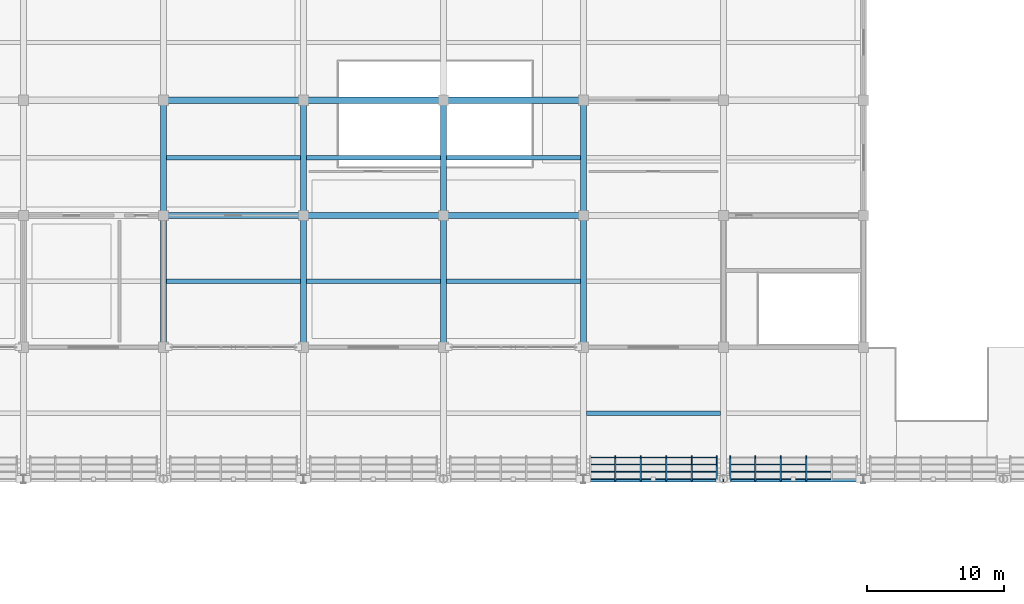
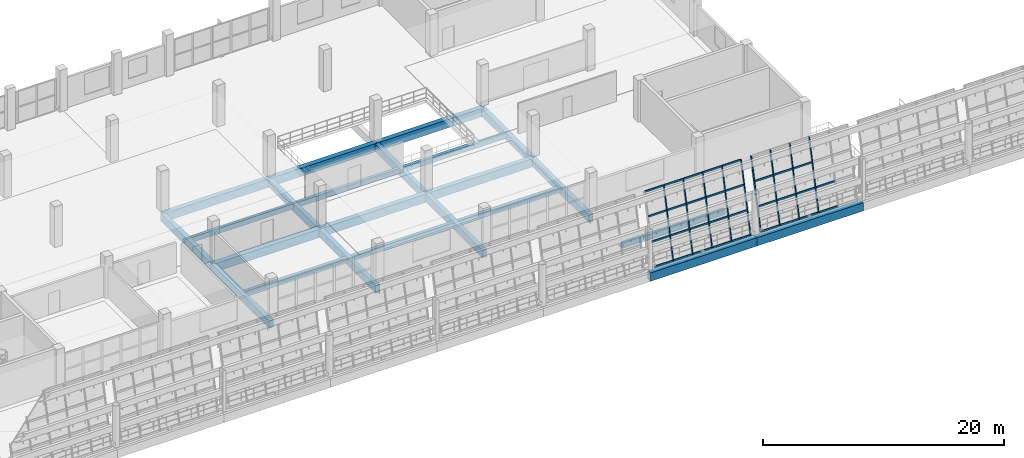
# One storey, part 45 of 157: 40 members, 23 beams, 2 elements without a shape of their own.
"""IFC4 building model written with IfcOpenShell, lengths in metres."""

from ifc_helpers import new_model, si_unit, direction, frame, origin, origin_2d, place, context, subcontext, project, spatial, rectangle, hollow_rectangle, extrude, material, material_profile, profile_set, type_object, element, aggregate, save


model = new_model("IFC4")

# Units and contexts
model_context = context("Model", 3, precision=1e-05, world=origin(), true_north=direction((0.0, 1.0)))
body_context = subcontext(model_context, "Body", "Model", "MODEL_VIEW")
ifc_project = project(units=[si_unit("LENGTHUNIT", "METRE"), si_unit("AREAUNIT", "SQUARE_METRE"), si_unit("VOLUMEUNIT", "CUBIC_METRE"), si_unit("PLANEANGLEUNIT", "RADIAN"), si_unit("MASSUNIT", "GRAM", prefix="KILO")], contexts=[model_context])

# Site, building, storey
site_placement = place(None, origin())
site = spatial("IfcSite", under=ifc_project, at=site_placement, CompositionType="ELEMENT")
building_placement = place(site_placement, origin())
building = spatial("IfcBuilding", under=site, at=building_placement, Name="Brelvane Convention Centre", CompositionType="ELEMENT")
storey_placement = place(building_placement, frame((0.0, 0.0, 10.800048828125)))
storey = spatial("IfcBuildingStorey", under=building, at=storey_placement, Name="L02", CompositionType="ELEMENT", Elevation=10.800048828125)

# Curtain wall, members
ifc_material_1 = material(Name="Anodised Aluminium Alloy 6063-T6", Category="aluminium")
curtain_wall_type = type_object("IfcCurtainWallType", Name="Curtain Wall CW-HULL-N", PredefinedType="USERDEFINED", material=ifc_material_1)
curtain_wall_1_placement = place(storey_placement, origin())
curtain_wall_1 = element("IfcCurtainWall", 1, at=curtain_wall_1_placement, inside=storey, type_object=curtain_wall_type, Name="Curtain Wall CW-HULL-N L02-V1N-HULL-10", ObjectType="UNITISED", PredefinedType="USERDEFINED")
ifc_material_2 = material(Name="Anodised Aluminium Alloy 6063-T6", Category="aluminium")
ifc_material_profile_1 = material_profile(ifc_material_2, hollow_rectangle(XDim=0.080078125, YDim=0.239990234375, WallThickness=0.006103515625, InnerFilletRadius=0.006103515625, OuterFilletRadius=0.011962890625, at=origin_2d()), Name="ALU-M 240x80x6.0")
ifc_profile_set_1 = profile_set([ifc_material_profile_1], Name="Anodised Aluminium Alloy 6063-T6")
member_type_1 = type_object("IfcMemberType", Name="Curtain Mullion CW-M1", PredefinedType="MULLION", material=ifc_profile_set_1)
member_1_placement = place(storey_placement, frame((94.110107421875, 99.60009765625, 0.0), z_axis=(0.0, 0.228324840492, 0.973585007698), x_axis=(-1.0, 0.0, 0.0)))
member_1 = element("IfcMember", 2, at=member_1_placement, type_object=member_type_1, Name="CW-HULL-N mullion 2", PredefinedType="MULLION", context=body_context, shape_type="SweptSolid", body=[
    extrude(hollow_rectangle(XDim=0.080078125, YDim=0.239990234375, WallThickness=0.006103515625, InnerFilletRadius=0.006103515625, OuterFilletRadius=0.011962890625, at=origin_2d()), origin(), (0.0, 0.0, 1.0), 6.93310546875),
])
member_2_placement = place(storey_placement, frame((95.969970703125, 99.60009765625, 0.0), z_axis=(0.0, 0.228324840492, 0.973585007698), x_axis=(-1.0, 0.0, 0.0)))
member_2 = element("IfcMember", 3, at=member_2_placement, type_object=member_type_1, Name="CW-HULL-N mullion 3", PredefinedType="MULLION", context=body_context, shape_type="SweptSolid", body=[
    extrude(hollow_rectangle(XDim=0.080078125, YDim=0.239990234375, WallThickness=0.006103515625, InnerFilletRadius=0.006103515625, OuterFilletRadius=0.011962890625, at=origin_2d()), origin(), (0.0, 0.0, 1.0), 6.93310546875),
])
member_3_placement = place(storey_placement, frame((97.830078125, 99.60009765625, 0.0), z_axis=(0.0, 0.228324840492, 0.973585007698), x_axis=(-1.0, 0.0, 0.0)))
member_3 = element("IfcMember", 4, at=member_3_placement, type_object=member_type_1, Name="CW-HULL-N mullion 4", PredefinedType="MULLION", context=body_context, shape_type="SweptSolid", body=[
    extrude(hollow_rectangle(XDim=0.080078125, YDim=0.239990234375, WallThickness=0.006103515625, InnerFilletRadius=0.006103515625, OuterFilletRadius=0.011962890625, at=origin_2d()), origin(), (0.0, 0.0, 1.0), 6.93310546875),
])
member_4_placement = place(storey_placement, frame((99.68994140625, 99.60009765625, 0.0), z_axis=(0.0, 0.228324840492, 0.973585007698), x_axis=(-1.0, 0.0, 0.0)))
member_4 = element("IfcMember", 5, at=member_4_placement, type_object=member_type_1, Name="CW-HULL-N mullion 5", PredefinedType="MULLION", context=body_context, shape_type="SweptSolid", body=[
    extrude(hollow_rectangle(XDim=0.080078125, YDim=0.239990234375, WallThickness=0.006103515625, InnerFilletRadius=0.006103515625, OuterFilletRadius=0.011962890625, at=origin_2d()), origin(), (0.0, 0.0, 1.0), 6.93310546875),
])
member_5_placement = place(storey_placement, frame((101.510009765625, 99.60009765625, 0.0), z_axis=(0.0, 0.228324840492, 0.973585007698), x_axis=(-1.0, 0.0, 0.0)))
member_5 = element("IfcMember", 6, at=member_5_placement, type_object=member_type_1, Name="CW-HULL-N mullion 6", PredefinedType="MULLION", context=body_context, shape_type="SweptSolid", body=[
    extrude(hollow_rectangle(XDim=0.080078125, YDim=0.239990234375, WallThickness=0.006103515625, InnerFilletRadius=0.006103515625, OuterFilletRadius=0.011962890625, at=origin_2d()), origin(), (0.0, 0.0, 1.0), 6.93310546875),
])

curtain_wall_2_placement = place(storey_placement, origin())
curtain_wall_2 = element("IfcCurtainWall", 7, at=curtain_wall_2_placement, inside=storey, type_object=curtain_wall_type, Name="Curtain Wall CW-HULL-N L02-V1N-HULL-11", ObjectType="UNITISED", PredefinedType="USERDEFINED")
member_6_placement = place(storey_placement, frame((102.489990234375, 99.60009765625, 0.0), z_axis=(0.0, 0.228324840492, 0.973585007698), x_axis=(-1.0, 0.0, 0.0)))
member_6 = element("IfcMember", 8, at=member_6_placement, type_object=member_type_1, Name="CW-HULL-N mullion 1", PredefinedType="MULLION", context=body_context, shape_type="SweptSolid", body=[
    extrude(hollow_rectangle(XDim=0.080078125, YDim=0.239990234375, WallThickness=0.006103515625, InnerFilletRadius=0.006103515625, OuterFilletRadius=0.011962890625, at=origin_2d()), origin(), (0.0, 0.0, 1.0), 6.93310546875),
])
member_7_placement = place(storey_placement, frame((104.31005859375, 99.60009765625, 0.0), z_axis=(0.0, 0.228324840492, 0.973585007698), x_axis=(-1.0, 0.0, 0.0)))
member_7 = element("IfcMember", 9, at=member_7_placement, type_object=member_type_1, Name="CW-HULL-N mullion 2", PredefinedType="MULLION", context=body_context, shape_type="SweptSolid", body=[
    extrude(hollow_rectangle(XDim=0.080078125, YDim=0.239990234375, WallThickness=0.006103515625, InnerFilletRadius=0.006103515625, OuterFilletRadius=0.011962890625, at=origin_2d()), origin(), (0.0, 0.0, 1.0), 6.93310546875),
])
member_8_placement = place(storey_placement, frame((106.169921875, 99.60009765625, 0.0), z_axis=(0.0, 0.228324840492, 0.973585007698), x_axis=(-1.0, 0.0, 0.0)))
member_8 = element("IfcMember", 10, at=member_8_placement, type_object=member_type_1, Name="CW-HULL-N mullion 3", PredefinedType="MULLION", context=body_context, shape_type="SweptSolid", body=[
    extrude(hollow_rectangle(XDim=0.080078125, YDim=0.239990234375, WallThickness=0.006103515625, InnerFilletRadius=0.006103515625, OuterFilletRadius=0.011962890625, at=origin_2d()), origin(), (0.0, 0.0, 1.0), 6.93310546875),
])
member_9_placement = place(storey_placement, frame((108.030029296875, 99.60009765625, 0.0), z_axis=(0.0, 0.228324840492, 0.973585007698), x_axis=(-1.0, 0.0, 0.0)))
member_9 = element("IfcMember", 11, at=member_9_placement, type_object=member_type_1, Name="CW-HULL-N mullion 4", PredefinedType="MULLION", context=body_context, shape_type="SweptSolid", body=[
    extrude(hollow_rectangle(XDim=0.080078125, YDim=0.239990234375, WallThickness=0.006103515625, InnerFilletRadius=0.006103515625, OuterFilletRadius=0.011962890625, at=origin_2d()), origin(), (0.0, 0.0, 1.0), 6.93310546875),
])

# Member
ifc_material_3 = material(Name="Anodised Aluminium Alloy 6063-T6", Category="aluminium")
ifc_material_profile_2 = material_profile(ifc_material_3, hollow_rectangle(XDim=0.080078125, YDim=0.179931640625, WallThickness=0.0048828125, InnerFilletRadius=0.0048828125, OuterFilletRadius=0.010009765625, at=origin_2d()), Name="ALU-T 180x80x5.0")
ifc_profile_set_2 = profile_set([ifc_material_profile_2], Name="Anodised Aluminium Alloy 6063-T6")
member_type_2 = type_object("IfcMemberType", Name="Curtain Transom CW-T1", PredefinedType="USERDEFINED", material=ifc_profile_set_2)
member_10_placement = place(storey_placement, frame((92.330078125, 99.609375, 0.0400390625), z_axis=(1.0, 0.0, 0.0), x_axis=(0.0, 1.0, 0.0)))
member_10 = element("IfcMember", 12, at=member_10_placement, type_object=member_type_2, Name="CW-HULL-N transom 1.1", ObjectType="TRANSOM", PredefinedType="USERDEFINED", context=body_context, shape_type="SweptSolid", body=[
    extrude(hollow_rectangle(XDim=0.080078125, YDim=0.179931640625, WallThickness=0.0048828125, InnerFilletRadius=0.0048828125, OuterFilletRadius=0.010009765625, at=origin_2d()), origin(), (0.0, 0.0, 1.0), 1.739990234375),
])

member_11_placement = place(storey_placement, frame((92.330078125, 100.127685546875, 2.25), z_axis=(1.0, 0.0, 0.0), x_axis=(0.0, 1.0, 0.0)))
member_11 = element("IfcMember", 13, at=member_11_placement, type_object=member_type_2, Name="CW-HULL-N transom 1.2", ObjectType="TRANSOM", PredefinedType="USERDEFINED", context=body_context, shape_type="SweptSolid", body=[
    extrude(hollow_rectangle(XDim=0.080078125, YDim=0.179931640625, WallThickness=0.0048828125, InnerFilletRadius=0.0048828125, OuterFilletRadius=0.010009765625, at=origin_2d()), origin(), (0.0, 0.0, 1.0), 1.739990234375),
])

member_12_placement = place(storey_placement, frame((92.330078125, 100.655517578125, 4.5), z_axis=(1.0, 0.0, 0.0), x_axis=(0.0, 1.0, 0.0)))
member_12 = element("IfcMember", 14, at=member_12_placement, type_object=member_type_2, Name="CW-HULL-N transom 1.3", ObjectType="TRANSOM", PredefinedType="USERDEFINED", context=body_context, shape_type="SweptSolid", body=[
    extrude(hollow_rectangle(XDim=0.080078125, YDim=0.179931640625, WallThickness=0.0048828125, InnerFilletRadius=0.0048828125, OuterFilletRadius=0.010009765625, at=origin_2d()), origin(), (0.0, 0.0, 1.0), 1.739990234375),
])

member_13_placement = place(storey_placement, frame((92.330078125, 101.173828125, 6.7099609375), z_axis=(1.0, 0.0, 0.0), x_axis=(0.0, 1.0, 0.0)))
member_13 = element("IfcMember", 15, at=member_13_placement, type_object=member_type_2, Name="CW-HULL-N transom 1.4", ObjectType="TRANSOM", PredefinedType="USERDEFINED", context=body_context, shape_type="SweptSolid", body=[
    extrude(hollow_rectangle(XDim=0.080078125, YDim=0.179931640625, WallThickness=0.0048828125, InnerFilletRadius=0.0048828125, OuterFilletRadius=0.010009765625, at=origin_2d()), origin(), (0.0, 0.0, 1.0), 1.739990234375),
])

member_14_placement = place(storey_placement, frame((94.14990234375, 99.609375, 0.0400390625), z_axis=(1.0, 0.0, 0.0), x_axis=(0.0, 1.0, 0.0)))
member_14 = element("IfcMember", 16, at=member_14_placement, type_object=member_type_2, Name="CW-HULL-N transom 2.1", ObjectType="TRANSOM", PredefinedType="USERDEFINED", context=body_context, shape_type="SweptSolid", body=[
    extrude(hollow_rectangle(XDim=0.080078125, YDim=0.179931640625, WallThickness=0.0048828125, InnerFilletRadius=0.0048828125, OuterFilletRadius=0.010009765625, at=origin_2d()), origin(), (0.0, 0.0, 1.0), 1.780029296875),
])

member_15_placement = place(storey_placement, frame((94.14990234375, 100.127685546875, 2.25), z_axis=(1.0, 0.0, 0.0), x_axis=(0.0, 1.0, 0.0)))
member_15 = element("IfcMember", 17, at=member_15_placement, type_object=member_type_2, Name="CW-HULL-N transom 2.2", ObjectType="TRANSOM", PredefinedType="USERDEFINED", context=body_context, shape_type="SweptSolid", body=[
    extrude(hollow_rectangle(XDim=0.080078125, YDim=0.179931640625, WallThickness=0.0048828125, InnerFilletRadius=0.0048828125, OuterFilletRadius=0.010009765625, at=origin_2d()), origin(), (0.0, 0.0, 1.0), 1.780029296875),
])

member_16_placement = place(storey_placement, frame((94.14990234375, 100.655517578125, 4.5), z_axis=(1.0, 0.0, 0.0), x_axis=(0.0, 1.0, 0.0)))
member_16 = element("IfcMember", 18, at=member_16_placement, type_object=member_type_2, Name="CW-HULL-N transom 2.3", ObjectType="TRANSOM", PredefinedType="USERDEFINED", context=body_context, shape_type="SweptSolid", body=[
    extrude(hollow_rectangle(XDim=0.080078125, YDim=0.179931640625, WallThickness=0.0048828125, InnerFilletRadius=0.0048828125, OuterFilletRadius=0.010009765625, at=origin_2d()), origin(), (0.0, 0.0, 1.0), 1.780029296875),
])

member_17_placement = place(storey_placement, frame((94.14990234375, 101.173828125, 6.7099609375), z_axis=(1.0, 0.0, 0.0), x_axis=(0.0, 1.0, 0.0)))
member_17 = element("IfcMember", 19, at=member_17_placement, type_object=member_type_2, Name="CW-HULL-N transom 2.4", ObjectType="TRANSOM", PredefinedType="USERDEFINED", context=body_context, shape_type="SweptSolid", body=[
    extrude(hollow_rectangle(XDim=0.080078125, YDim=0.179931640625, WallThickness=0.0048828125, InnerFilletRadius=0.0048828125, OuterFilletRadius=0.010009765625, at=origin_2d()), origin(), (0.0, 0.0, 1.0), 1.780029296875),
])

member_18_placement = place(storey_placement, frame((96.010009765625, 99.609375, 0.0400390625), z_axis=(1.0, 0.0, 0.0), x_axis=(0.0, 1.0, 0.0)))
member_18 = element("IfcMember", 20, at=member_18_placement, type_object=member_type_2, Name="CW-HULL-N transom 3.1", ObjectType="TRANSOM", PredefinedType="USERDEFINED", context=body_context, shape_type="SweptSolid", body=[
    extrude(hollow_rectangle(XDim=0.080078125, YDim=0.179931640625, WallThickness=0.0048828125, InnerFilletRadius=0.0048828125, OuterFilletRadius=0.010009765625, at=origin_2d()), origin(), (0.0, 0.0, 1.0), 1.780029296875),
])

member_19_placement = place(storey_placement, frame((96.010009765625, 100.127685546875, 2.25), z_axis=(1.0, 0.0, 0.0), x_axis=(0.0, 1.0, 0.0)))
member_19 = element("IfcMember", 21, at=member_19_placement, type_object=member_type_2, Name="CW-HULL-N transom 3.2", ObjectType="TRANSOM", PredefinedType="USERDEFINED", context=body_context, shape_type="SweptSolid", body=[
    extrude(hollow_rectangle(XDim=0.080078125, YDim=0.179931640625, WallThickness=0.0048828125, InnerFilletRadius=0.0048828125, OuterFilletRadius=0.010009765625, at=origin_2d()), origin(), (0.0, 0.0, 1.0), 1.780029296875),
])

member_20_placement = place(storey_placement, frame((96.010009765625, 100.655517578125, 4.5), z_axis=(1.0, 0.0, 0.0), x_axis=(0.0, 1.0, 0.0)))
member_20 = element("IfcMember", 22, at=member_20_placement, type_object=member_type_2, Name="CW-HULL-N transom 3.3", ObjectType="TRANSOM", PredefinedType="USERDEFINED", context=body_context, shape_type="SweptSolid", body=[
    extrude(hollow_rectangle(XDim=0.080078125, YDim=0.179931640625, WallThickness=0.0048828125, InnerFilletRadius=0.0048828125, OuterFilletRadius=0.010009765625, at=origin_2d()), origin(), (0.0, 0.0, 1.0), 1.780029296875),
])

member_21_placement = place(storey_placement, frame((96.010009765625, 101.173828125, 6.7099609375), z_axis=(1.0, 0.0, 0.0), x_axis=(0.0, 1.0, 0.0)))
member_21 = element("IfcMember", 23, at=member_21_placement, type_object=member_type_2, Name="CW-HULL-N transom 3.4", ObjectType="TRANSOM", PredefinedType="USERDEFINED", context=body_context, shape_type="SweptSolid", body=[
    extrude(hollow_rectangle(XDim=0.080078125, YDim=0.179931640625, WallThickness=0.0048828125, InnerFilletRadius=0.0048828125, OuterFilletRadius=0.010009765625, at=origin_2d()), origin(), (0.0, 0.0, 1.0), 1.780029296875),
])

member_22_placement = place(storey_placement, frame((97.8701171875, 99.609375, 0.0400390625), z_axis=(1.0, 0.0, 0.0), x_axis=(0.0, 1.0, 0.0)))
member_22 = element("IfcMember", 24, at=member_22_placement, type_object=member_type_2, Name="CW-HULL-N transom 4.1", ObjectType="TRANSOM", PredefinedType="USERDEFINED", context=body_context, shape_type="SweptSolid", body=[
    extrude(hollow_rectangle(XDim=0.080078125, YDim=0.179931640625, WallThickness=0.0048828125, InnerFilletRadius=0.0048828125, OuterFilletRadius=0.010009765625, at=origin_2d()), origin(), (0.0, 0.0, 1.0), 1.77978515625),
])

member_23_placement = place(storey_placement, frame((97.8701171875, 100.127685546875, 2.25), z_axis=(1.0, 0.0, 0.0), x_axis=(0.0, 1.0, 0.0)))
member_23 = element("IfcMember", 25, at=member_23_placement, type_object=member_type_2, Name="CW-HULL-N transom 4.2", ObjectType="TRANSOM", PredefinedType="USERDEFINED", context=body_context, shape_type="SweptSolid", body=[
    extrude(hollow_rectangle(XDim=0.080078125, YDim=0.179931640625, WallThickness=0.0048828125, InnerFilletRadius=0.0048828125, OuterFilletRadius=0.010009765625, at=origin_2d()), origin(), (0.0, 0.0, 1.0), 1.77978515625),
])

member_24_placement = place(storey_placement, frame((97.8701171875, 100.655517578125, 4.5), z_axis=(1.0, 0.0, 0.0), x_axis=(0.0, 1.0, 0.0)))
member_24 = element("IfcMember", 26, at=member_24_placement, type_object=member_type_2, Name="CW-HULL-N transom 4.3", ObjectType="TRANSOM", PredefinedType="USERDEFINED", context=body_context, shape_type="SweptSolid", body=[
    extrude(hollow_rectangle(XDim=0.080078125, YDim=0.179931640625, WallThickness=0.0048828125, InnerFilletRadius=0.0048828125, OuterFilletRadius=0.010009765625, at=origin_2d()), origin(), (0.0, 0.0, 1.0), 1.77978515625),
])

member_25_placement = place(storey_placement, frame((97.8701171875, 101.173828125, 6.7099609375), z_axis=(1.0, 0.0, 0.0), x_axis=(0.0, 1.0, 0.0)))
member_25 = element("IfcMember", 27, at=member_25_placement, type_object=member_type_2, Name="CW-HULL-N transom 4.4", ObjectType="TRANSOM", PredefinedType="USERDEFINED", context=body_context, shape_type="SweptSolid", body=[
    extrude(hollow_rectangle(XDim=0.080078125, YDim=0.179931640625, WallThickness=0.0048828125, InnerFilletRadius=0.0048828125, OuterFilletRadius=0.010009765625, at=origin_2d()), origin(), (0.0, 0.0, 1.0), 1.77978515625),
])

member_26_placement = place(storey_placement, frame((99.72998046875, 99.609375, 0.0400390625), z_axis=(1.0, 0.0, 0.0), x_axis=(0.0, 1.0, 0.0)))
member_26 = element("IfcMember", 28, at=member_26_placement, type_object=member_type_2, Name="CW-HULL-N transom 5.1", ObjectType="TRANSOM", PredefinedType="USERDEFINED", context=body_context, shape_type="SweptSolid", body=[
    extrude(hollow_rectangle(XDim=0.080078125, YDim=0.179931640625, WallThickness=0.0048828125, InnerFilletRadius=0.0048828125, OuterFilletRadius=0.010009765625, at=origin_2d()), origin(), (0.0, 0.0, 1.0), 1.739990234375),
])

member_27_placement = place(storey_placement, frame((99.72998046875, 100.127685546875, 2.25), z_axis=(1.0, 0.0, 0.0), x_axis=(0.0, 1.0, 0.0)))
member_27 = element("IfcMember", 29, at=member_27_placement, type_object=member_type_2, Name="CW-HULL-N transom 5.2", ObjectType="TRANSOM", PredefinedType="USERDEFINED", context=body_context, shape_type="SweptSolid", body=[
    extrude(hollow_rectangle(XDim=0.080078125, YDim=0.179931640625, WallThickness=0.0048828125, InnerFilletRadius=0.0048828125, OuterFilletRadius=0.010009765625, at=origin_2d()), origin(), (0.0, 0.0, 1.0), 1.739990234375),
])

member_28_placement = place(storey_placement, frame((99.72998046875, 100.655517578125, 4.5), z_axis=(1.0, 0.0, 0.0), x_axis=(0.0, 1.0, 0.0)))
member_28 = element("IfcMember", 30, at=member_28_placement, type_object=member_type_2, Name="CW-HULL-N transom 5.3", ObjectType="TRANSOM", PredefinedType="USERDEFINED", context=body_context, shape_type="SweptSolid", body=[
    extrude(hollow_rectangle(XDim=0.080078125, YDim=0.179931640625, WallThickness=0.0048828125, InnerFilletRadius=0.0048828125, OuterFilletRadius=0.010009765625, at=origin_2d()), origin(), (0.0, 0.0, 1.0), 1.739990234375),
])

member_29_placement = place(storey_placement, frame((99.72998046875, 101.173828125, 6.7099609375), z_axis=(1.0, 0.0, 0.0), x_axis=(0.0, 1.0, 0.0)))
member_29 = element("IfcMember", 31, at=member_29_placement, type_object=member_type_2, Name="CW-HULL-N transom 5.4", ObjectType="TRANSOM", PredefinedType="USERDEFINED", context=body_context, shape_type="SweptSolid", body=[
    extrude(hollow_rectangle(XDim=0.080078125, YDim=0.179931640625, WallThickness=0.0048828125, InnerFilletRadius=0.0048828125, OuterFilletRadius=0.010009765625, at=origin_2d()), origin(), (0.0, 0.0, 1.0), 1.739990234375),
])

aggregate(curtain_wall_1, [member_1, member_2, member_3, member_4, member_5, member_10, member_11, member_12, member_13, member_14, member_15, member_16, member_17, member_18, member_19, member_20, member_21, member_22, member_23, member_24, member_25, member_26, member_27, member_28, member_29])

member_30_placement = place(storey_placement, frame((102.530029296875, 99.609375, 0.0400390625), z_axis=(1.0, 0.0, 0.0), x_axis=(0.0, 1.0, 0.0)))
member_30 = element("IfcMember", 32, at=member_30_placement, type_object=member_type_2, Name="CW-HULL-N transom 1.1", ObjectType="TRANSOM", PredefinedType="USERDEFINED", context=body_context, shape_type="SweptSolid", body=[
    extrude(hollow_rectangle(XDim=0.080078125, YDim=0.179931640625, WallThickness=0.0048828125, InnerFilletRadius=0.0048828125, OuterFilletRadius=0.010009765625, at=origin_2d()), origin(), (0.0, 0.0, 1.0), 1.739990234375),
])

member_31_placement = place(storey_placement, frame((102.530029296875, 100.127685546875, 2.25), z_axis=(1.0, 0.0, 0.0), x_axis=(0.0, 1.0, 0.0)))
member_31 = element("IfcMember", 33, at=member_31_placement, type_object=member_type_2, Name="CW-HULL-N transom 1.2", ObjectType="TRANSOM", PredefinedType="USERDEFINED", context=body_context, shape_type="SweptSolid", body=[
    extrude(hollow_rectangle(XDim=0.080078125, YDim=0.179931640625, WallThickness=0.0048828125, InnerFilletRadius=0.0048828125, OuterFilletRadius=0.010009765625, at=origin_2d()), origin(), (0.0, 0.0, 1.0), 1.739990234375),
])

member_32_placement = place(storey_placement, frame((102.530029296875, 100.655517578125, 4.5), z_axis=(1.0, 0.0, 0.0), x_axis=(0.0, 1.0, 0.0)))
member_32 = element("IfcMember", 34, at=member_32_placement, type_object=member_type_2, Name="CW-HULL-N transom 1.3", ObjectType="TRANSOM", PredefinedType="USERDEFINED", context=body_context, shape_type="SweptSolid", body=[
    extrude(hollow_rectangle(XDim=0.080078125, YDim=0.179931640625, WallThickness=0.0048828125, InnerFilletRadius=0.0048828125, OuterFilletRadius=0.010009765625, at=origin_2d()), origin(), (0.0, 0.0, 1.0), 1.739990234375),
])

member_33_placement = place(storey_placement, frame((104.35009765625, 99.609375, 0.0400390625), z_axis=(1.0, 0.0, 0.0), x_axis=(0.0, 1.0, 0.0)))
member_33 = element("IfcMember", 35, at=member_33_placement, type_object=member_type_2, Name="CW-HULL-N transom 2.1", ObjectType="TRANSOM", PredefinedType="USERDEFINED", context=body_context, shape_type="SweptSolid", body=[
    extrude(hollow_rectangle(XDim=0.080078125, YDim=0.179931640625, WallThickness=0.0048828125, InnerFilletRadius=0.0048828125, OuterFilletRadius=0.010009765625, at=origin_2d()), origin(), (0.0, 0.0, 1.0), 1.77978515625),
])

member_34_placement = place(storey_placement, frame((104.35009765625, 100.127685546875, 2.25), z_axis=(1.0, 0.0, 0.0), x_axis=(0.0, 1.0, 0.0)))
member_34 = element("IfcMember", 36, at=member_34_placement, type_object=member_type_2, Name="CW-HULL-N transom 2.2", ObjectType="TRANSOM", PredefinedType="USERDEFINED", context=body_context, shape_type="SweptSolid", body=[
    extrude(hollow_rectangle(XDim=0.080078125, YDim=0.179931640625, WallThickness=0.0048828125, InnerFilletRadius=0.0048828125, OuterFilletRadius=0.010009765625, at=origin_2d()), origin(), (0.0, 0.0, 1.0), 1.77978515625),
])

member_35_placement = place(storey_placement, frame((104.35009765625, 100.655517578125, 4.5), z_axis=(1.0, 0.0, 0.0), x_axis=(0.0, 1.0, 0.0)))
member_35 = element("IfcMember", 37, at=member_35_placement, type_object=member_type_2, Name="CW-HULL-N transom 2.3", ObjectType="TRANSOM", PredefinedType="USERDEFINED", context=body_context, shape_type="SweptSolid", body=[
    extrude(hollow_rectangle(XDim=0.080078125, YDim=0.179931640625, WallThickness=0.0048828125, InnerFilletRadius=0.0048828125, OuterFilletRadius=0.010009765625, at=origin_2d()), origin(), (0.0, 0.0, 1.0), 1.77978515625),
])

member_36_placement = place(storey_placement, frame((106.2099609375, 99.609375, 0.0400390625), z_axis=(1.0, 0.0, 0.0), x_axis=(0.0, 1.0, 0.0)))
member_36 = element("IfcMember", 38, at=member_36_placement, type_object=member_type_2, Name="CW-HULL-N transom 3.1", ObjectType="TRANSOM", PredefinedType="USERDEFINED", context=body_context, shape_type="SweptSolid", body=[
    extrude(hollow_rectangle(XDim=0.080078125, YDim=0.179931640625, WallThickness=0.0048828125, InnerFilletRadius=0.0048828125, OuterFilletRadius=0.010009765625, at=origin_2d()), origin(), (0.0, 0.0, 1.0), 1.780029296875),
])

member_37_placement = place(storey_placement, frame((106.2099609375, 100.127685546875, 2.25), z_axis=(1.0, 0.0, 0.0), x_axis=(0.0, 1.0, 0.0)))
member_37 = element("IfcMember", 39, at=member_37_placement, type_object=member_type_2, Name="CW-HULL-N transom 3.2", ObjectType="TRANSOM", PredefinedType="USERDEFINED", context=body_context, shape_type="SweptSolid", body=[
    extrude(hollow_rectangle(XDim=0.080078125, YDim=0.179931640625, WallThickness=0.0048828125, InnerFilletRadius=0.0048828125, OuterFilletRadius=0.010009765625, at=origin_2d()), origin(), (0.0, 0.0, 1.0), 1.780029296875),
])

member_38_placement = place(storey_placement, frame((106.2099609375, 100.655517578125, 4.5), z_axis=(1.0, 0.0, 0.0), x_axis=(0.0, 1.0, 0.0)))
member_38 = element("IfcMember", 40, at=member_38_placement, type_object=member_type_2, Name="CW-HULL-N transom 3.3", ObjectType="TRANSOM", PredefinedType="USERDEFINED", context=body_context, shape_type="SweptSolid", body=[
    extrude(hollow_rectangle(XDim=0.080078125, YDim=0.179931640625, WallThickness=0.0048828125, InnerFilletRadius=0.0048828125, OuterFilletRadius=0.010009765625, at=origin_2d()), origin(), (0.0, 0.0, 1.0), 1.780029296875),
])

member_39_placement = place(storey_placement, frame((108.070068359375, 99.609375, 0.0400390625), z_axis=(1.0, 0.0, 0.0), x_axis=(0.0, 1.0, 0.0)))
member_39 = element("IfcMember", 41, at=member_39_placement, type_object=member_type_2, Name="CW-HULL-N transom 4.1", ObjectType="TRANSOM", PredefinedType="USERDEFINED", context=body_context, shape_type="SweptSolid", body=[
    extrude(hollow_rectangle(XDim=0.080078125, YDim=0.179931640625, WallThickness=0.0048828125, InnerFilletRadius=0.0048828125, OuterFilletRadius=0.010009765625, at=origin_2d()), origin(), (0.0, 0.0, 1.0), 1.780029296875),
])

member_40_placement = place(storey_placement, frame((108.070068359375, 100.127685546875, 2.25), z_axis=(1.0, 0.0, 0.0), x_axis=(0.0, 1.0, 0.0)))
member_40 = element("IfcMember", 42, at=member_40_placement, type_object=member_type_2, Name="CW-HULL-N transom 4.2", ObjectType="TRANSOM", PredefinedType="USERDEFINED", context=body_context, shape_type="SweptSolid", body=[
    extrude(hollow_rectangle(XDim=0.080078125, YDim=0.179931640625, WallThickness=0.0048828125, InnerFilletRadius=0.0048828125, OuterFilletRadius=0.010009765625, at=origin_2d()), origin(), (0.0, 0.0, 1.0), 1.780029296875),
])

aggregate(curtain_wall_2, [member_6, member_7, member_8, member_9, member_30, member_31, member_32, member_33, member_34, member_35, member_36, member_37, member_38, member_39, member_40])

# Beams
ifc_material_4 = material(Name="Concrete M40", Category="concrete")
ifc_material_profile_3 = material_profile(ifc_material_4, rectangle(XDim=0.4599609375, YDim=0.840087890625, at=origin_2d()), Name="RC 460x840")
ifc_profile_set_3 = profile_set([ifc_material_profile_3], Name="Concrete M40")
beam_type_1 = type_object("IfcBeamType", Name="RC Beam B-RC11 (RC 460x840)", PredefinedType="BEAM", material=ifc_profile_set_3)
for number, where, z_axis, x_axis, name in (
    (43, (61.199951171875, 118.800048828125, -0.699951171875), (1.0, 0.0, 0.0), (0.0, 1.0, 0.0), "L02 Beam 7-8/M"),
    (44, (61.199951171875, 127.199951171875, -0.699951171875), (1.0, 0.0, 0.0), (0.0, 1.0, 0.0), "L02 Beam 7-8/N"),
):
    element("IfcBeam", number, at=place(storey_placement, frame(where, z_axis=z_axis, x_axis=x_axis)), inside=storey, type_object=beam_type_1, Name=name, PredefinedType="BEAM", context=body_context, shape_type="SweptSolid", body=[
        extrude(rectangle(XDim=0.4599609375, YDim=0.840087890625, at=origin_2d()), origin(), (0.0, 0.0, 1.0), 10.199951171875),
    ])
for number, where, z_axis, x_axis, name in (
    (45, (71.39990234375, 118.800048828125, -0.699951171875), (1.0, 0.0, 0.0), (0.0, 1.0, 0.0), "L02 Beam 8-9/M"),
    (46, (71.39990234375, 127.199951171875, -0.699951171875), (1.0, 0.0, 0.0), (0.0, 1.0, 0.0), "L02 Beam 8-9/N"),
):
    element("IfcBeam", number, at=place(storey_placement, frame(where, z_axis=z_axis, x_axis=x_axis)), inside=storey, type_object=beam_type_1, Name=name, PredefinedType="BEAM", context=body_context, shape_type="SweptSolid", body=[
        extrude(rectangle(XDim=0.4599609375, YDim=0.840087890625, at=origin_2d()), origin(), (0.0, 0.0, 1.0), 10.2001953125),
    ])
for number, where, z_axis, x_axis, name in (
    (47, (81.60009765625, 118.800048828125, -0.699951171875), (1.0, 0.0, 0.0), (0.0, 1.0, 0.0), "L02 Beam 9-10/M"),
    (48, (81.60009765625, 127.199951171875, -0.699951171875), (1.0, 0.0, 0.0), (0.0, 1.0, 0.0), "L02 Beam 9-10/N"),
    (49, (91.800048828125, 99.60009765625, -0.699951171875), (1.0, 0.0, 0.0), (0.0, 1.0, 0.0), "L02 Beam 10-11/K"),
    (50, (102.0, 99.60009765625, -0.699951171875), (1.0, 0.0, 0.0), (0.0, 1.0, 0.0), "L02 Beam 11-12/K"),
):
    element("IfcBeam", number, at=place(storey_placement, frame(where, z_axis=z_axis, x_axis=x_axis)), inside=storey, type_object=beam_type_1, Name=name, PredefinedType="BEAM", context=body_context, shape_type="SweptSolid", body=[
        extrude(rectangle(XDim=0.4599609375, YDim=0.840087890625, at=origin_2d()), origin(), (0.0, 0.0, 1.0), 10.199951171875),
    ])
ifc_material_5 = material(Name="Concrete M40", Category="concrete")
ifc_material_profile_4 = material_profile(ifc_material_5, rectangle(XDim=0.419921875, YDim=0.780029296875, at=origin_2d()), Name="RC 420x780")
ifc_profile_set_4 = profile_set([ifc_material_profile_4], Name="Concrete M40")
beam_type_2 = type_object("IfcBeamType", Name="RC Beam B-RC12 (RC 420x780)", PredefinedType="BEAM", material=ifc_profile_set_4)
beam_1_placement = place(storey_placement, frame((61.199951171875, 109.199951171875, -0.670166015625), z_axis=(0.0, 1.0, 0.0), x_axis=(-1.0, 0.0, 0.0)))
element("IfcBeam", 51, at=beam_1_placement, inside=storey, type_object=beam_type_2, Name="L02 Girder 7/L-M", PredefinedType="BEAM", context=body_context, shape_type="SweptSolid", body=[
    extrude(rectangle(XDim=0.419921875, YDim=0.780029296875, at=origin_2d()), origin(), (0.0, 0.0, 1.0), 9.60009765625),
])
beam_2_placement = place(storey_placement, frame((61.199951171875, 118.800048828125, -0.670166015625), z_axis=(0.0, 1.0, 0.0), x_axis=(-1.0, 0.0, 0.0)))
element("IfcBeam", 52, at=beam_2_placement, inside=storey, type_object=beam_type_2, Name="L02 Girder 7/M-N", PredefinedType="BEAM", context=body_context, shape_type="SweptSolid", body=[
    extrude(rectangle(XDim=0.419921875, YDim=0.780029296875, at=origin_2d()), origin(), (0.0, 0.0, 1.0), 8.39990234375),
])
beam_3_placement = place(storey_placement, frame((71.39990234375, 109.199951171875, -0.670166015625), z_axis=(0.0, 1.0, 0.0), x_axis=(-1.0, 0.0, 0.0)))
element("IfcBeam", 53, at=beam_3_placement, inside=storey, type_object=beam_type_2, Name="L02 Girder 8/L-M", PredefinedType="BEAM", context=body_context, shape_type="SweptSolid", body=[
    extrude(rectangle(XDim=0.419921875, YDim=0.780029296875, at=origin_2d()), origin(), (0.0, 0.0, 1.0), 9.60009765625),
])
beam_4_placement = place(storey_placement, frame((71.39990234375, 118.800048828125, -0.670166015625), z_axis=(0.0, 1.0, 0.0), x_axis=(-1.0, 0.0, 0.0)))
element("IfcBeam", 54, at=beam_4_placement, inside=storey, type_object=beam_type_2, Name="L02 Girder 8/M-N", PredefinedType="BEAM", context=body_context, shape_type="SweptSolid", body=[
    extrude(rectangle(XDim=0.419921875, YDim=0.780029296875, at=origin_2d()), origin(), (0.0, 0.0, 1.0), 8.39990234375),
])
beam_5_placement = place(storey_placement, frame((81.60009765625, 109.199951171875, -0.670166015625), z_axis=(0.0, 1.0, 0.0), x_axis=(-1.0, 0.0, 0.0)))
element("IfcBeam", 55, at=beam_5_placement, inside=storey, type_object=beam_type_2, Name="L02 Girder 9/L-M", PredefinedType="BEAM", context=body_context, shape_type="SweptSolid", body=[
    extrude(rectangle(XDim=0.419921875, YDim=0.780029296875, at=origin_2d()), origin(), (0.0, 0.0, 1.0), 9.60009765625),
])
beam_6_placement = place(storey_placement, frame((81.60009765625, 118.800048828125, -0.670166015625), z_axis=(0.0, 1.0, 0.0), x_axis=(-1.0, 0.0, 0.0)))
element("IfcBeam", 56, at=beam_6_placement, inside=storey, type_object=beam_type_2, Name="L02 Girder 9/M-N", PredefinedType="BEAM", context=body_context, shape_type="SweptSolid", body=[
    extrude(rectangle(XDim=0.419921875, YDim=0.780029296875, at=origin_2d()), origin(), (0.0, 0.0, 1.0), 8.39990234375),
])
beam_7_placement = place(storey_placement, frame((91.800048828125, 109.199951171875, -0.670166015625), z_axis=(0.0, 1.0, 0.0), x_axis=(-1.0, 0.0, 0.0)))
element("IfcBeam", 57, at=beam_7_placement, inside=storey, type_object=beam_type_2, Name="L02 Girder 10/L-M", PredefinedType="BEAM", context=body_context, shape_type="SweptSolid", body=[
    extrude(rectangle(XDim=0.419921875, YDim=0.780029296875, at=origin_2d()), origin(), (0.0, 0.0, 1.0), 9.60009765625),
])
beam_8_placement = place(storey_placement, frame((91.800048828125, 118.800048828125, -0.670166015625), z_axis=(0.0, 1.0, 0.0), x_axis=(-1.0, 0.0, 0.0)))
element("IfcBeam", 58, at=beam_8_placement, inside=storey, type_object=beam_type_2, Name="L02 Girder 10/M-N", PredefinedType="BEAM", context=body_context, shape_type="SweptSolid", body=[
    extrude(rectangle(XDim=0.419921875, YDim=0.780029296875, at=origin_2d()), origin(), (0.0, 0.0, 1.0), 8.39990234375),
])
ifc_material_6 = material(Name="Concrete M40", Category="concrete")
ifc_material_profile_5 = material_profile(ifc_material_6, rectangle(XDim=0.320068359375, YDim=0.52001953125, at=origin_2d()), Name="RC 320x520")
ifc_profile_set_5 = profile_set([ifc_material_profile_5], Name="Concrete M40")
beam_type_3 = type_object("IfcBeamType", Name="RC Joist J-RC4 (RC 320x520)", PredefinedType="JOIST", material=ifc_profile_set_5)
for number, where, z_axis, x_axis, name in (
    (59, (61.409912109375, 114.0, -0.5400390625), (1.0, 0.0, 0.0), (0.0, 1.0, 0.0), "L02 Secondary Joist 7-8/LM"),
    (60, (61.409912109375, 123.0, -0.5400390625), (1.0, 0.0, 0.0), (0.0, 1.0, 0.0), "L02 Secondary Joist 7-8/MN"),
):
    element("IfcBeam", number, at=place(storey_placement, frame(where, z_axis=z_axis, x_axis=x_axis)), inside=storey, type_object=beam_type_3, Name=name, PredefinedType="JOIST", context=body_context, shape_type="SweptSolid", body=[
        extrude(rectangle(XDim=0.320068359375, YDim=0.52001953125, at=origin_2d()), origin(), (0.0, 0.0, 1.0), 9.780029296875),
    ])
for number, where, z_axis, x_axis, name in (
    (61, (71.610107421875, 114.0, -0.5400390625), (1.0, 0.0, 0.0), (0.0, 1.0, 0.0), "L02 Secondary Joist 8-9/LM"),
    (62, (71.610107421875, 123.0, -0.5400390625), (1.0, 0.0, 0.0), (0.0, 1.0, 0.0), "L02 Secondary Joist 8-9/MN"),
):
    element("IfcBeam", number, at=place(storey_placement, frame(where, z_axis=z_axis, x_axis=x_axis)), inside=storey, type_object=beam_type_3, Name=name, PredefinedType="JOIST", context=body_context, shape_type="SweptSolid", body=[
        extrude(rectangle(XDim=0.320068359375, YDim=0.52001953125, at=origin_2d()), origin(), (0.0, 0.0, 1.0), 9.77978515625),
    ])
for number, where, z_axis, x_axis, name in (
    (63, (81.81005859375, 114.0, -0.5400390625), (1.0, 0.0, 0.0), (0.0, 1.0, 0.0), "L02 Secondary Joist 9-10/LM"),
    (64, (81.81005859375, 123.0, -0.5400390625), (1.0, 0.0, 0.0), (0.0, 1.0, 0.0), "L02 Secondary Joist 9-10/MN"),
    (65, (92.010009765625, 104.39990234375, -0.5400390625), (1.0, 0.0, 0.0), (0.0, 1.0, 0.0), "L02 Secondary Joist 10-11/KL"),
):
    element("IfcBeam", number, at=place(storey_placement, frame(where, z_axis=z_axis, x_axis=x_axis)), inside=storey, type_object=beam_type_3, Name=name, PredefinedType="JOIST", context=body_context, shape_type="SweptSolid", body=[
        extrude(rectangle(XDim=0.320068359375, YDim=0.52001953125, at=origin_2d()), origin(), (0.0, 0.0, 1.0), 9.780029296875),
    ])

save(model, "model.ifc")
